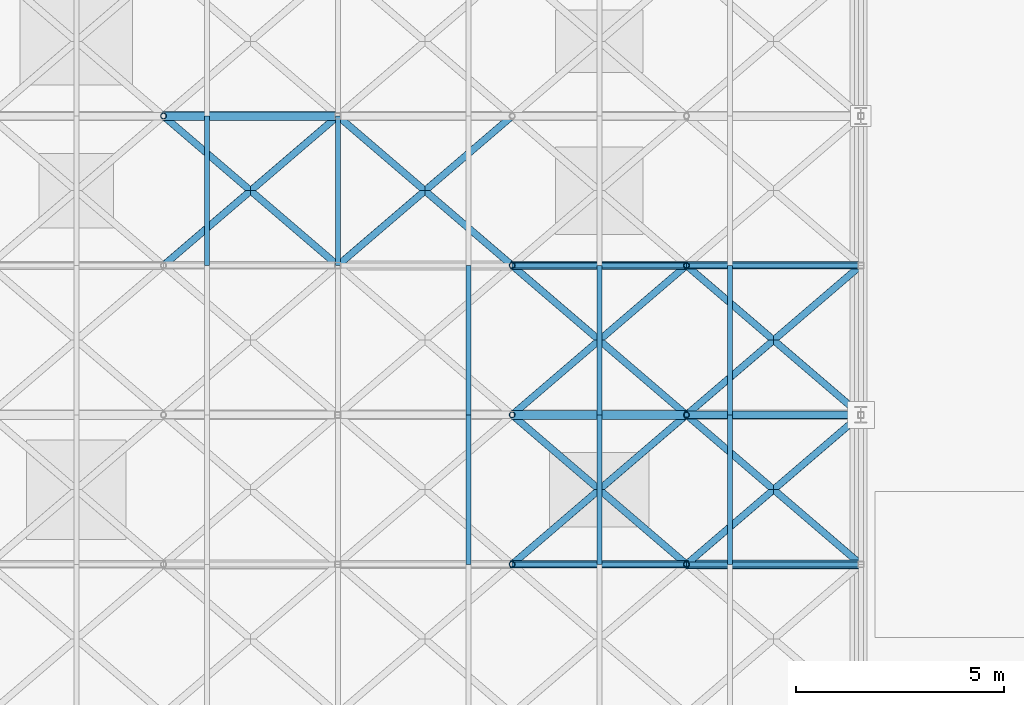
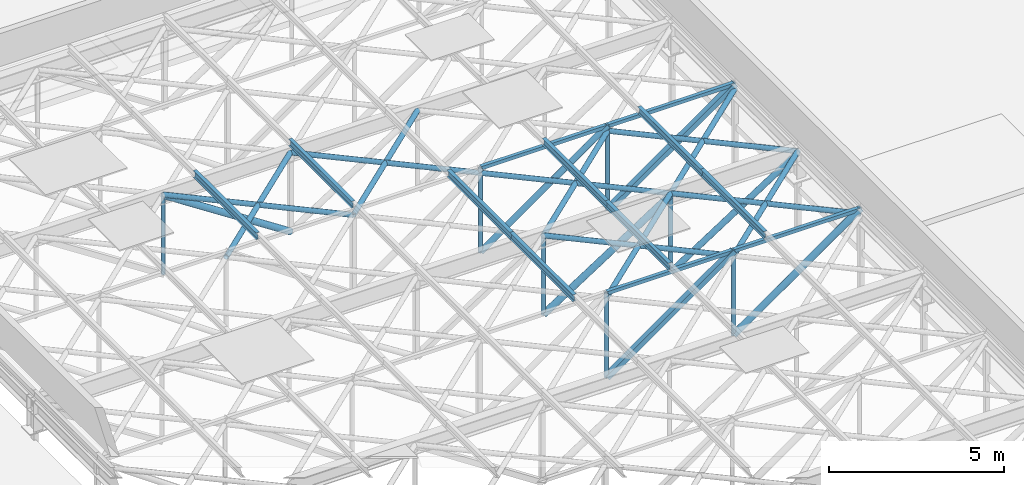
# One storey, part 21 of 45: 38 members.
"""IFC4 building model written with IfcOpenShell, lengths in metres."""

from ifc_helpers import new_model, si_unit, derived_unit, direction, frame, origin, origin_2d, place, context, subcontext, project, spatial, hollow_rectangle, hollow_circle, i_section, extrude, material, material_profile, profile_set, type_object, element, save


model = new_model("IFC4")

# Units and contexts
model_context = context("Model", 3, precision=1e-05, world=origin(), true_north=direction((0.0, 1.0)))
body_context = subcontext(model_context, "Body", "Model", "MODEL_VIEW")
ifc_project = project(units=[si_unit("LENGTHUNIT", "METRE"), si_unit("AREAUNIT", "SQUARE_METRE"), si_unit("VOLUMEUNIT", "CUBIC_METRE"), si_unit("PLANEANGLEUNIT", "RADIAN"), si_unit("MASSUNIT", "GRAM", prefix="KILO"), derived_unit("THERMALTRANSMITTANCEUNIT", [(si_unit("MASSUNIT", "GRAM", prefix="KILO"), 1), (si_unit("TIMEUNIT", "SECOND"), -3), (si_unit("THERMODYNAMICTEMPERATUREUNIT", "KELVIN"), -1)])], contexts=[model_context])

# Site, building, storey
site_placement = place(None, origin())
site = spatial("IfcSite", under=ifc_project, at=site_placement, CompositionType="ELEMENT")
building_placement = place(site_placement, origin())
building = spatial("IfcBuilding", under=site, at=building_placement, Name="Veldstrom Oceanarium and Marine Research Institute", CompositionType="ELEMENT")
storey_placement = place(building_placement, frame((0.0, 0.0, 22.199951171875)))
storey = spatial("IfcBuildingStorey", under=building, at=storey_placement, Name="L04", CompositionType="ELEMENT", Elevation=22.199951171875)

# Members
ifc_material_1 = material(Name="Steel S355JR", Category="steel")
ifc_material_profile_1 = material_profile(ifc_material_1, hollow_circle(Radius=0.109619140625, WallThickness=0.012451171875, at=origin_2d()), Name="CHS 219.1x12.5")
ifc_profile_set_1 = profile_set([ifc_material_profile_1], Name="Steel S355JR")
member_type_1 = type_object("IfcMemberType", Name="STR-MEM-BR1", PredefinedType="BRACE", material=ifc_profile_set_1)
member_1_placement = place(storey_placement, frame((37.800048828125, 39.60009765625, -1.89990234375), z_axis=(0.818316866904, 0.0, 0.574767348881), x_axis=(0.0, 1.0, 0.0)))
element("IfcMember", 1, at=member_1_placement, inside=storey, type_object=member_type_1, Name="Truss Web Diagonal RT08-6", PredefinedType="BRACE", context=body_context, shape_type="SweptSolid", body=[
    extrude(hollow_circle(Radius=0.109619140625, WallThickness=0.012451171875, at=origin_2d()), origin(), (0.0, 0.0, 1.0), 5.13232421875),
])
member_2_placement = place(storey_placement, frame((33.60009765625, 43.199951171875, -1.89990234375), z_axis=(0.841046607487, 0.0, 0.540962664178), x_axis=(0.0, 1.0, 0.0)))
element("IfcMember", 2, at=member_2_placement, inside=storey, type_object=member_type_1, Name="Truss Web Diagonal RT09-5", PredefinedType="BRACE", context=body_context, shape_type="SweptSolid", body=[
    extrude(hollow_circle(Radius=0.109619140625, WallThickness=0.012451171875, at=origin_2d()), origin(), (0.0, 0.0, 1.0), 4.99365234375),
])
member_3_placement = place(storey_placement, frame((25.199951171875, 50.39990234375, 0.843505859375), z_axis=(0.837217300889, 0.0, -0.546870360407), x_axis=(0.0, 1.0, 0.0)))
element("IfcMember", 3, at=member_3_placement, inside=storey, type_object=member_type_1, Name="Truss Web Diagonal RT11-3", PredefinedType="BRACE", context=body_context, shape_type="SweptSolid", body=[
    extrude(hollow_circle(Radius=0.109619140625, WallThickness=0.012451171875, at=origin_2d()), origin(), (0.0, 0.0, 1.0), 5.0166015625),
])
ifc_material_2 = material(Name="Steel S355JR", Category="steel")
ifc_material_profile_2 = material_profile(ifc_material_2, hollow_circle(Radius=0.096923828125, WallThickness=0.010009765625, at=origin_2d()), Name="CHS 193.7x10")
ifc_profile_set_2 = profile_set([ifc_material_profile_2], Name="Steel S355JR")
member_type_2 = type_object("IfcMemberType", Name="STR-MEM-BR2", PredefinedType="BRACE", material=ifc_profile_set_2)
member_4_placement = place(storey_placement, frame((37.800048828125, 43.199951171875, -1.89990234375), z_axis=(0.841046607487, 0.0, 0.540962664178), x_axis=(0.0, 1.0, 0.0)))
element("IfcMember", 4, at=member_4_placement, inside=storey, type_object=member_type_2, Name="Truss Web Diagonal RT09-6", PredefinedType="BRACE", context=body_context, shape_type="SweptSolid", body=[
    extrude(hollow_circle(Radius=0.096923828125, WallThickness=0.010009765625, at=origin_2d()), origin(), (0.0, 0.0, 1.0), 4.99365234375),
])
member_5_placement = place(storey_placement, frame((33.60009765625, 46.800048828125, -1.89990234375), z_axis=(0.818316866904, 0.0, 0.574767348881), x_axis=(0.0, 1.0, 0.0)))
element("IfcMember", 5, at=member_5_placement, inside=storey, type_object=member_type_2, Name="Truss Web Diagonal RT10-5", PredefinedType="BRACE", context=body_context, shape_type="SweptSolid", body=[
    extrude(hollow_circle(Radius=0.096923828125, WallThickness=0.010009765625, at=origin_2d()), origin(), (0.0, 0.0, 1.0), 5.13232421875),
])
ifc_material_3 = material(Name="Steel S355JR", Category="steel")
ifc_material_profile_3 = material_profile(ifc_material_3, hollow_circle(Radius=0.084228515625, WallThickness=0.008056640625, at=origin_2d()), Name="CHS 168.3x8")
ifc_profile_set_3 = profile_set([ifc_material_profile_3], Name="Steel S355JR")
member_type_3 = type_object("IfcMemberType", Name="STR-MEM-BR3", PredefinedType="BRACE", material=ifc_profile_set_3)
for number, where, z_axis, x_axis, name in (
    (6, (33.60009765625, 39.60009765625, 0.860107421875), (0.759265948664, 0.650780469282, 0.0), (-0.650780469282, 0.759265948664, 0.0), "Roof Plan Wind Brace WB-08-5"),
    (7, (37.800048828125, 39.60009765625, 0.860107421875), (-0.759265948664, 0.650780469282, 0.0), (-0.650780469282, -0.759265948664, 0.0), "Roof Plan Counter Wind Brace WB-08-5B"),
    (8, (37.800048828125, 39.60009765625, 0.860107421875), (0.759265948664, 0.650780469282, 0.0), (-0.650780469282, 0.759265948664, 0.0), "Roof Plan Wind Brace WB-08-6"),
    (9, (42.0, 39.60009765625, 0.860107421875), (-0.759265948664, 0.650780469282, 0.0), (-0.650780469282, -0.759265948664, 0.0), "Roof Plan Counter Wind Brace WB-08-6B"),
):
    element("IfcMember", number, at=place(storey_placement, frame(where, z_axis=z_axis, x_axis=x_axis)), inside=storey, type_object=member_type_3, Name=name, PredefinedType="BRACE", context=body_context, shape_type="SweptSolid", body=[
        extrude(hollow_circle(Radius=0.084228515625, WallThickness=0.008056640625, at=origin_2d()), origin(), (0.0, 0.0, 1.0), 5.531494140625),
    ])
for number, where, z_axis, x_axis, name in (
    (10, (33.60009765625, 43.199951171875, 0.860107421875), (0.759244140748, 0.650805911728, 0.0), (-0.650805911728, 0.759244140748, 0.0), "Roof Plan Wind Brace WB-09-5"),
    (11, (37.800048828125, 43.199951171875, 0.860107421875), (-0.759244140748, 0.650805911728, 0.0), (-0.650805911728, -0.759244140748, 0.0), "Roof Plan Counter Wind Brace WB-09-5B"),
    (12, (37.800048828125, 43.199951171875, 0.860107421875), (0.759244140748, 0.650805911728, 0.0), (-0.650805911728, 0.759244140748, 0.0), "Roof Plan Wind Brace WB-09-6"),
    (13, (42.0, 43.199951171875, 0.860107421875), (-0.759244140748, 0.650805911728, 0.0), (-0.650805911728, -0.759244140748, 0.0), "Roof Plan Counter Wind Brace WB-09-6B"),
):
    element("IfcMember", number, at=place(storey_placement, frame(where, z_axis=z_axis, x_axis=x_axis)), inside=storey, type_object=member_type_3, Name=name, PredefinedType="BRACE", context=body_context, shape_type="SweptSolid", body=[
        extrude(hollow_circle(Radius=0.084228515625, WallThickness=0.008056640625, at=origin_2d()), origin(), (0.0, 0.0, 1.0), 5.53173828125),
    ])
for number, where, z_axis, x_axis, name in (
    (14, (25.199951171875, 46.800048828125, 0.860107421875), (0.759265948664, 0.650780469282, 0.0), (-0.650780469282, 0.759265948664, 0.0), "Roof Plan Wind Brace WB-10-3"),
    (15, (29.39990234375, 46.800048828125, 0.860107421875), (-0.759265948664, 0.650780469282, 0.0), (-0.650780469282, -0.759265948664, 0.0), "Roof Plan Counter Wind Brace WB-10-3B"),
):
    element("IfcMember", number, at=place(storey_placement, frame(where, z_axis=z_axis, x_axis=x_axis)), inside=storey, type_object=member_type_3, Name=name, PredefinedType="BRACE", context=body_context, shape_type="SweptSolid", body=[
        extrude(hollow_circle(Radius=0.084228515625, WallThickness=0.008056640625, at=origin_2d()), origin(), (0.0, 0.0, 1.0), 5.531494140625),
    ])
for number, where, z_axis, x_axis, name in (
    (16, (29.39990234375, 46.800048828125, 0.860107421875), (0.759284639853, 0.650758661627, 0.0), (-0.650758661627, 0.759284639853, 0.0), "Roof Plan Wind Brace WB-10-4"),
    (17, (33.60009765625, 46.800048828125, 0.860107421875), (-0.759284639853, 0.650758661627, 0.0), (-0.650758661627, -0.759284639853, 0.0), "Roof Plan Counter Wind Brace WB-10-4B"),
):
    element("IfcMember", number, at=place(storey_placement, frame(where, z_axis=z_axis, x_axis=x_axis)), inside=storey, type_object=member_type_3, Name=name, PredefinedType="BRACE", context=body_context, shape_type="SweptSolid", body=[
        extrude(hollow_circle(Radius=0.084228515625, WallThickness=0.008056640625, at=origin_2d()), origin(), (0.0, 0.0, 1.0), 5.53173828125),
    ])
ifc_material_4 = material(Name="Steel S355JR", Category="steel")
ifc_material_profile_4 = material_profile(ifc_material_4, hollow_rectangle(XDim=0.179931640625, YDim=0.179931640625, WallThickness=0.010009765625, at=origin_2d()), Name="SHS 180x180x10")
ifc_profile_set_4 = profile_set([ifc_material_profile_4], Name="Steel S355JR")
member_type_4 = type_object("IfcMemberType", Name="STR-MEM-BR4", PredefinedType="BRACE", material=ifc_profile_set_4)
for number, where, z_axis, x_axis, name in (
    (18, (33.60009765625, 39.60009765625, -1.89990234375), (0.818316866904, 0.0, 0.574767348881), (0.0, 1.0, 0.0), "Truss Web Diagonal RT08-5"),
    (19, (37.800048828125, 46.800048828125, -1.89990234375), (0.818316866904, 0.0, 0.574767348881), (0.0, 1.0, 0.0), "Truss Web Diagonal RT10-6"),
):
    element("IfcMember", number, at=place(storey_placement, frame(where, z_axis=z_axis, x_axis=x_axis)), inside=storey, type_object=member_type_4, Name=name, PredefinedType="BRACE", context=body_context, shape_type="SweptSolid", body=[
        extrude(hollow_rectangle(XDim=0.179931640625, YDim=0.179931640625, WallThickness=0.010009765625, at=origin_2d()), origin(), (0.0, 0.0, 1.0), 5.13232421875),
    ])
ifc_material_5 = material(Name="Steel S355JR", Category="steel")
ifc_material_profile_5 = material_profile(ifc_material_5, i_section(OverallWidth=0.1201171875, OverallDepth=0.239990234375, WebThickness=0.006103515625, FlangeThickness=0.009765625, FilletRadius=0.014892578125, at=origin_2d()), Name="IPE 240")
ifc_profile_set_5 = profile_set([ifc_material_profile_5], Name="Steel S355JR")
member_type_5 = type_object("IfcMemberType", Name="STR-MEM-PR1", PredefinedType="PURLIN", material=ifc_profile_set_5)
for number, where, z_axis, x_axis, name in (
    (20, (32.550048828125, 39.60009765625, 1.22998046875), (0.0, 1.0, 0.0), (-1.0, 0.0, 0.0), "Hall Roof Purlin PR-09-6"),
    (21, (35.699951171875, 39.60009765625, 1.22998046875), (0.0, 1.0, 0.0), (-1.0, 0.0, 0.0), "Hall Roof Purlin PR-09-7"),
    (22, (38.85009765625, 39.60009765625, 1.22998046875), (0.0, 1.0, 0.0), (-1.0, 0.0, 0.0), "Hall Roof Purlin PR-09-8"),
):
    element("IfcMember", number, at=place(storey_placement, frame(where, z_axis=z_axis, x_axis=x_axis)), inside=storey, type_object=member_type_5, Name=name, PredefinedType="PURLIN", context=body_context, shape_type="SweptSolid", body=[
        extrude(i_section(OverallWidth=0.1201171875, OverallDepth=0.239990234375, WebThickness=0.006103515625, FlangeThickness=0.009765625, FilletRadius=0.014892578125, at=origin_2d()), origin(), (0.0, 0.0, 1.0), 3.599853515625),
    ])
for number, where, z_axis, x_axis, name in (
    (23, (32.550048828125, 43.199951171875, 1.22998046875), (0.0, 1.0, 0.0), (-1.0, 0.0, 0.0), "Hall Roof Purlin PR-10-6"),
    (24, (35.699951171875, 43.199951171875, 1.22998046875), (0.0, 1.0, 0.0), (-1.0, 0.0, 0.0), "Hall Roof Purlin PR-10-7"),
    (25, (38.85009765625, 43.199951171875, 1.22998046875), (0.0, 1.0, 0.0), (-1.0, 0.0, 0.0), "Hall Roof Purlin PR-10-8"),
):
    element("IfcMember", number, at=place(storey_placement, frame(where, z_axis=z_axis, x_axis=x_axis)), inside=storey, type_object=member_type_5, Name=name, PredefinedType="PURLIN", context=body_context, shape_type="SweptSolid", body=[
        extrude(i_section(OverallWidth=0.1201171875, OverallDepth=0.239990234375, WebThickness=0.006103515625, FlangeThickness=0.009765625, FilletRadius=0.014892578125, at=origin_2d()), origin(), (0.0, 0.0, 1.0), 3.60009765625),
    ])
for number, where, z_axis, x_axis, name in (
    (26, (26.25, 46.800048828125, 1.22998046875), (0.0, 1.0, 0.0), (-1.0, 0.0, 0.0), "Hall Roof Purlin PR-11-4"),
    (27, (29.39990234375, 46.800048828125, 1.22998046875), (0.0, 1.0, 0.0), (-1.0, 0.0, 0.0), "Hall Roof Purlin PR-11-5"),
):
    element("IfcMember", number, at=place(storey_placement, frame(where, z_axis=z_axis, x_axis=x_axis)), inside=storey, type_object=member_type_5, Name=name, PredefinedType="PURLIN", context=body_context, shape_type="SweptSolid", body=[
        extrude(i_section(OverallWidth=0.1201171875, OverallDepth=0.239990234375, WebThickness=0.006103515625, FlangeThickness=0.009765625, FilletRadius=0.014892578125, at=origin_2d()), origin(), (0.0, 0.0, 1.0), 3.599853515625),
    ])
ifc_material_6 = material(Name="Steel S355JR", Category="steel")
ifc_material_profile_6 = material_profile(ifc_material_6, hollow_circle(Radius=0.06982421875, WallThickness=0.008056640625, at=origin_2d()), Name="CHS 139.7x8")
ifc_profile_set_6 = profile_set([ifc_material_profile_6], Name="Steel S355JR")
member_type_6 = type_object("IfcMemberType", Name="STR-MEM-PS2", PredefinedType="POST", material=ifc_profile_set_6)
for number, where, z_axis, x_axis, name in (
    (28, (33.60009765625, 39.60009765625, -1.89990234375), (0.0, 0.0, 1.0), (1.0, 0.0, 0.0), "Truss Vertical Post RT08-5"),
    (29, (37.800048828125, 39.60009765625, -1.89990234375), (0.0, 0.0, 1.0), (1.0, 0.0, 0.0), "Truss Vertical Post RT08-6"),
):
    element("IfcMember", number, at=place(storey_placement, frame(where, z_axis=z_axis, x_axis=x_axis)), inside=storey, type_object=member_type_6, Name=name, PredefinedType="POST", context=body_context, shape_type="SweptSolid", body=[
        extrude(hollow_circle(Radius=0.06982421875, WallThickness=0.008056640625, at=origin_2d()), origin(), (0.0, 0.0, 1.0), 2.949951171875),
    ])
for number, where, z_axis, x_axis, name in (
    (30, (33.60009765625, 43.199951171875, -1.89990234375), (0.0, 0.0, 1.0), (1.0, 0.0, 0.0), "Truss Vertical Post RT09-5"),
    (31, (37.800048828125, 43.199951171875, -1.89990234375), (0.0, 0.0, 1.0), (1.0, 0.0, 0.0), "Truss Vertical Post RT09-6"),
):
    element("IfcMember", number, at=place(storey_placement, frame(where, z_axis=z_axis, x_axis=x_axis)), inside=storey, type_object=member_type_6, Name=name, PredefinedType="POST", context=body_context, shape_type="SweptSolid", body=[
        extrude(hollow_circle(Radius=0.06982421875, WallThickness=0.008056640625, at=origin_2d()), origin(), (0.0, 0.0, 1.0), 2.701416015625),
    ])
for number, where, z_axis, x_axis, name in (
    (32, (33.60009765625, 46.800048828125, -1.89990234375), (0.0, 0.0, 1.0), (1.0, 0.0, 0.0), "Truss Vertical Post RT10-5"),
    (33, (37.800048828125, 46.800048828125, -1.89990234375), (0.0, 0.0, 1.0), (1.0, 0.0, 0.0), "Truss Vertical Post RT10-6"),
):
    element("IfcMember", number, at=place(storey_placement, frame(where, z_axis=z_axis, x_axis=x_axis)), inside=storey, type_object=member_type_6, Name=name, PredefinedType="POST", context=body_context, shape_type="SweptSolid", body=[
        extrude(hollow_circle(Radius=0.06982421875, WallThickness=0.008056640625, at=origin_2d()), origin(), (0.0, 0.0, 1.0), 2.949951171875),
    ])
member_6_placement = place(storey_placement, frame((25.199951171875, 50.39990234375, -1.89990234375), z_axis=(0.0, 0.0, 1.0), x_axis=(1.0, 0.0, 0.0)))
element("IfcMember", 34, at=member_6_placement, inside=storey, type_object=member_type_6, Name="Truss Vertical Post RT11-3", PredefinedType="POST", context=body_context, shape_type="SweptSolid", body=[
    extrude(hollow_circle(Radius=0.06982421875, WallThickness=0.008056640625, at=origin_2d()), origin(), (0.0, 0.0, 1.0), 2.743408203125),
])
ifc_material_7 = material(Name="Steel S355JR", Category="steel")
ifc_material_profile_7 = material_profile(ifc_material_7, hollow_rectangle(XDim=0.1201171875, YDim=0.1201171875, WallThickness=0.008056640625, at=origin_2d()), Name="SHS 120x120x8")
ifc_profile_set_7 = profile_set([ifc_material_profile_7], Name="Steel S355JR")
member_type_7 = type_object("IfcMemberType", Name="STR-MEM-RF1", PredefinedType="RAFTER", material=ifc_profile_set_7)
for number, where, z_axis, x_axis, name in (
    (35, (33.60009765625, 39.60009765625, 1.050048828125), (1.0, 0.0, 0.0), (0.0, 1.0, 0.0), "Truss Top Rafter RT08-5"),
    (36, (37.800048828125, 39.60009765625, 1.050048828125), (1.0, 0.0, 0.0), (0.0, 1.0, 0.0), "Truss Top Rafter RT08-6"),
    (37, (33.60009765625, 46.800048828125, 1.050048828125), (1.0, 0.0, 0.0), (0.0, 1.0, 0.0), "Truss Top Rafter RT10-5"),
    (38, (37.800048828125, 46.800048828125, 1.050048828125), (1.0, 0.0, 0.0), (0.0, 1.0, 0.0), "Truss Top Rafter RT10-6"),
):
    element("IfcMember", number, at=place(storey_placement, frame(where, z_axis=z_axis, x_axis=x_axis)), inside=storey, type_object=member_type_7, Name=name, PredefinedType="RAFTER", context=body_context, shape_type="SweptSolid", body=[
        extrude(hollow_rectangle(XDim=0.1201171875, YDim=0.1201171875, WallThickness=0.008056640625, at=origin_2d()), origin(), (0.0, 0.0, 1.0), 4.199951171875),
    ])

save(model, "model.ifc")
